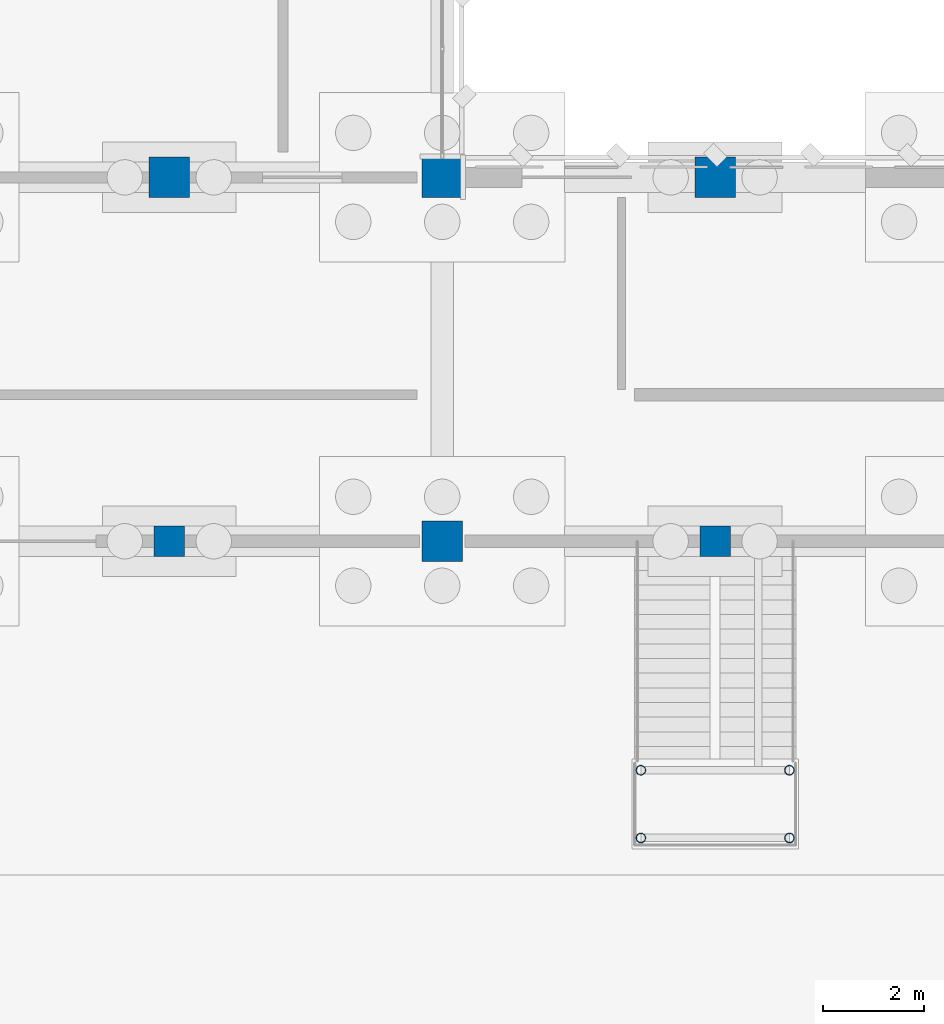
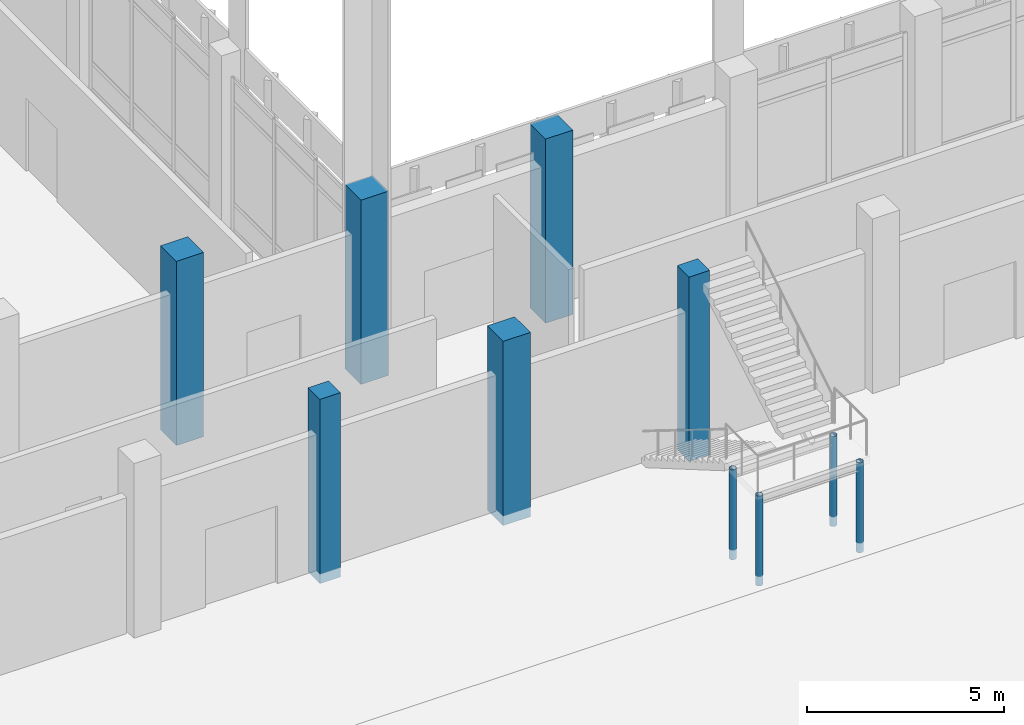
# One storey, part 16 of 109: 10 columns.
"""IFC4 building model written with IfcOpenShell, lengths in metres."""

import ifcopenshell
import ifcopenshell.guid

model = None  # the IFC model being written
_history = None  # IfcOwnerHistory: only IFC2X3 demands one
_inside = {}  # id of a spatial element -> (the spatial element, [elements in it])
_under = {}  # id of a project, library or spatial element -> (it, [spatial elements below it])
_declared = {}  # id of a project -> (the project, [libraries it declares])
_typed = {}  # id of a type object -> (the type object, [elements of that type])
_made_of = {}  # id of a material, layer set ... -> (it, [elements and type objects made of it])


def new_model(schema):
    """Start an empty IFC model of exactly this schema.

    Asked for "IFC4X3", IfcOpenShell would pick the latest addendum, in which some entities
    have other attributes; the version numbers below select the first issue.
    IFC2X3 requires an IfcOwnerHistory on every rooted entity: one is made here for all.
    """
    global model, _history
    if schema == "IFC4X3":
        model = ifcopenshell.file(schema_version=(4, 3, 0, 0))
    else:
        model = ifcopenshell.file(schema=schema)
    _inside.clear()
    _under.clear()
    _declared.clear()
    _typed.clear()
    _made_of.clear()
    _history = None
    if model.schema == "IFC2X3":
        org = make("IfcOrganization", Name="unknown")
        user = make(
            "IfcPersonAndOrganization",
            ThePerson=make("IfcPerson", FamilyName="unknown"),
            TheOrganization=org,
        )
        app = make(
            "IfcApplication",
            ApplicationDeveloper=org,
            Version="unknown",
            ApplicationFullName="unknown",
            ApplicationIdentifier="unknown",
        )
        _history = make(
            "IfcOwnerHistory",
            OwningUser=user,
            OwningApplication=app,
            ChangeAction="ADDED",
            CreationDate=0,
        )
    return model


def make(cls, **values):
    """One entity of the class cls with the attributes given. An attribute that is None is left unset."""
    return model.create_entity(
        cls, **{name: value for name, value in values.items() if value is not None}
    )


def rooted(cls, **values):
    """An entity with a GlobalId (a new one), such as an element, a storey or a relation."""
    return make(cls, GlobalId=ifcopenshell.guid.new(), OwnerHistory=_history, **values)


def si_unit(unit_type, name, prefix=None):
    """IfcSIUnit, for example si_unit("LENGTHUNIT", "METRE", prefix="MILLI")."""
    return make("IfcSIUnit", UnitType=unit_type, Prefix=prefix, Name=name)


def assignment(units):
    """IfcUnitAssignment: the units of a project."""
    return None if units is None else make("IfcUnitAssignment", Units=units)


def point(xyz):
    """IfcCartesianPoint."""
    return None if xyz is None else make("IfcCartesianPoint", Coordinates=xyz)


def direction(xyz):
    """IfcDirection."""
    return None if xyz is None else make("IfcDirection", DirectionRatios=xyz)


def frame(location, z_axis=None, x_axis=None):
    """IfcAxis2Placement3D, a coordinate frame: its origin and axes. An axis left out is left unset."""
    return make(
        "IfcAxis2Placement3D",
        Location=point(location),
        Axis=direction(z_axis),
        RefDirection=direction(x_axis),
    )


def frame_2d(location, x_axis=None):
    """IfcAxis2Placement2D, a coordinate frame in the plane: its origin and x axis."""
    return make(
        "IfcAxis2Placement2D", Location=point(location), RefDirection=direction(x_axis)
    )


def origin():
    """The frame at (0, 0, 0) with its axes left unset."""
    return frame((0.0, 0.0, 0.0))


def origin_2d():
    """The frame at (0, 0) in the plane with its x axis left unset."""
    return frame_2d((0.0, 0.0))


def place(relative_to, where):
    """IfcLocalPlacement: puts the frame where relative to a parent placement (None: the world)."""
    return make(
        "IfcLocalPlacement", PlacementRelTo=relative_to, RelativePlacement=where
    )


def context(
    kind, dimensions, precision=None, world=None, true_north=None, identifier=None
):
    """IfcGeometricRepresentationContext, for example the 3D "Model" context."""
    return make(
        "IfcGeometricRepresentationContext",
        ContextIdentifier=identifier,
        ContextType=kind,
        CoordinateSpaceDimension=dimensions,
        Precision=precision,
        WorldCoordinateSystem=world,
        TrueNorth=true_north,
    )


def subcontext(parent, identifier, kind, view, scale=None):
    """IfcGeometricRepresentationSubContext, for example "Body" below "Model"."""
    return make(
        "IfcGeometricRepresentationSubContext",
        ContextIdentifier=identifier,
        ContextType=kind,
        ParentContext=parent,
        TargetScale=scale,
        TargetView=view,
    )


def project(units=None, contexts=None):
    """IfcProject with its units and contexts."""
    return rooted(
        "IfcProject",
        Name="project",
        RepresentationContexts=contexts,
        UnitsInContext=assignment(units),
    )


def spatial(cls, under=None, at=None, **own):
    """A site, building, storey or space (cls), placed at a placement, below another one or the project."""
    s = rooted(cls, ObjectPlacement=at, **own)
    if under is not None:
        _under.setdefault(under.id(), (under, []))[1].append(s)
    return s


def profile(cls, at=None, kind="AREA", **sizes):
    """A parametric profile (cls). Its sizes go by their IFC names, for example OverallWidth=200.0."""
    return make(cls, ProfileType=kind, Position=at, **sizes)


def rectangle(**sizes):
    """IfcRectangleProfileDef."""
    return profile("IfcRectangleProfileDef", **sizes)


def hollow_circle(**sizes):
    """IfcCircleHollowProfileDef."""
    return profile("IfcCircleHollowProfileDef", **sizes)


def extrude(swept, where, along, depth):
    """IfcExtrudedAreaSolid: the profile swept, set in the frame where, extruded along a direction by depth."""
    return make(
        "IfcExtrudedAreaSolid",
        SweptArea=swept,
        Position=where,
        ExtrudedDirection=direction(along),
        Depth=depth,
    )


def shape(context_of_items, identifier, shape_type, items):
    """IfcShapeRepresentation: the items that make up one representation, for example the "Body"."""
    return make(
        "IfcShapeRepresentation",
        ContextOfItems=context_of_items,
        RepresentationIdentifier=identifier,
        RepresentationType=shape_type,
        Items=items,
    )


def material(Name=None, Category=None):
    """IfcMaterial."""
    return make("IfcMaterial", Name=Name, Category=Category)


def material_profile(
    of_material, cross_section, Name=None, Category=None, Priority=None
):
    """IfcMaterialProfile: a cross section and its material."""
    return make(
        "IfcMaterialProfile",
        Name=Name,
        Material=of_material,
        Profile=cross_section,
        Priority=Priority,
        Category=Category,
    )


def profile_set(profiles, Name=None, composite=None):
    """IfcMaterialProfileSet."""
    return make(
        "IfcMaterialProfileSet",
        Name=Name,
        MaterialProfiles=profiles,
        CompositeProfile=composite,
    )


def made_of(thing, what):
    """Note that an element or type object is made of a material, layer set ...; save() writes the relation."""
    if what is not None:
        _made_of.setdefault(what.id(), (what, []))[1].append(thing)
    return thing


def type_object(cls, material=None, **own):
    """A type object (cls), such as IfcWallType, which elements share."""
    return made_of(rooted(cls, **own), material)


def element(
    cls,
    number,
    at=None,
    inside=None,
    cuts=None,
    type_object=None,
    material=None,
    context=None,
    identifier="Body",
    shape_type=None,
    held_by="IfcProductDefinitionShape",
    body=None,
    shapes=None,
    **own,
):
    """One element of the class cls, such as IfcWall. Its Tag is "e" and its number.

    at: its placement. inside: the storey or other place that contains it. cuts: it is an
    opening in that element (IfcRelVoidsElement). A single representation is given by context,
    identifier, shape_type and body (its items); several are given by shapes. held_by: the class
    of the entity that holds the representations. save() writes the other relations.
    """
    e = rooted(cls, Tag="e%d" % number, ObjectPlacement=at, **own)
    if body is not None:
        shapes = [shape(context, identifier, shape_type, body)]
    if shapes is not None:
        e.Representation = make(held_by, Representations=shapes)
    if inside is not None:
        _inside.setdefault(inside.id(), (inside, []))[1].append(e)
    if cuts is not None:
        rooted(
            "IfcRelVoidsElement", RelatingBuildingElement=cuts, RelatedOpeningElement=e
        )
    if type_object is not None:
        _typed.setdefault(type_object.id(), (type_object, []))[1].append(e)
    return made_of(e, material)


def aggregate(whole, parts):
    """IfcRelAggregates: a whole, such as a stair, and the parts it consists of."""
    return rooted("IfcRelAggregates", RelatingObject=whole, RelatedObjects=parts)


def save(model, path):
    """Write the relations noted so far, then the file.

    IfcRelAggregates (storeys below a building ...), IfcRelContainedInSpatialStructure (elements
    in a storey), IfcRelDefinesByType, IfcRelAssociatesMaterial and IfcRelDeclares: one each for
    every whole, place, type object, material and project.
    """
    for whole, parts in _under.values():
        aggregate(whole, parts)
    for where, things in _inside.values():
        rooted(
            "IfcRelContainedInSpatialStructure",
            RelatedElements=things,
            RelatingStructure=where,
        )
    for kind, things in _typed.values():
        rooted("IfcRelDefinesByType", RelatedObjects=things, RelatingType=kind)
    for what, things in _made_of.values():
        rooted("IfcRelAssociatesMaterial", RelatedObjects=things, RelatingMaterial=what)
    for by, libraries in _declared.values():
        rooted("IfcRelDeclares", RelatingContext=by, RelatedDefinitions=libraries)
    model.write(path)


model = new_model("IFC4")

# Units and contexts
model_context = context("Model", 3, precision=1e-05, world=origin(), true_north=direction((0.0, 1.0)))
body_context = subcontext(model_context, "Body", "Model", "MODEL_VIEW")
ifc_project = project(units=[si_unit("LENGTHUNIT", "METRE"), si_unit("AREAUNIT", "SQUARE_METRE"), si_unit("VOLUMEUNIT", "CUBIC_METRE"), si_unit("PLANEANGLEUNIT", "RADIAN"), si_unit("MASSUNIT", "GRAM", prefix="KILO")], contexts=[model_context])

# Site, building, storey
site_placement = place(None, origin())
site = spatial("IfcSite", under=ifc_project, at=site_placement, CompositionType="ELEMENT")
building_placement = place(site_placement, origin())
building = spatial("IfcBuilding", under=site, at=building_placement, Name="Lusvemor Sports Hall", CompositionType="ELEMENT")
storey_placement = place(building_placement, origin())
storey = spatial("IfcBuildingStorey", under=building, at=storey_placement, Name="L00", CompositionType="ELEMENT", Elevation=0.0)

# Columns
ifc_material_1 = material(Name="Concrete C40/50", Category="concrete")
ifc_material_profile_1 = material_profile(ifc_material_1, rectangle(XDim=0.800048828125, YDim=0.800048828125, at=origin_2d()), Name="RC800x800")
ifc_profile_set_1 = profile_set([ifc_material_profile_1], Name="Concrete C40/50")
column_type_1 = type_object("IfcColumnType", Name="COL_HALL_W", PredefinedType="COLUMN", material=ifc_profile_set_1)
for number, where, z_axis, x_axis, name in (
    (1, (21.60009765625, 39.60009765625, -0.300048828125), (0.0, 0.0, 1.0), (1.0, 0.0, 0.0), "Column 3/E (L00)"),
    (2, (21.60009765625, 46.800048828125, -0.300048828125), (0.0, 0.0, 1.0), (1.0, 0.0, 0.0), "Column 3/F (L00)"),
    (3, (16.199951171875, 46.800048828125, -0.300048828125), (0.0, 0.0, 1.0), (1.0, 0.0, 0.0), "Wave North Eave Column N2 (L00)"),
    (4, (27.0, 46.800048828125, -0.300048828125), (0.0, 0.0, 1.0), (1.0, 0.0, 0.0), "Wave North Eave Column N3 (L00)"),
):
    element("IfcColumn", number, at=place(storey_placement, frame(where, z_axis=z_axis, x_axis=x_axis)), inside=storey, type_object=column_type_1, Name=name, PredefinedType="COLUMN", context=body_context, shape_type="SweptSolid", body=[
        extrude(rectangle(XDim=0.800048828125, YDim=0.800048828125, at=origin_2d()), origin(), (0.0, 0.0, 1.0), 5.699951171875),
    ])
ifc_material_2 = material(Name="Steel S355", Category="steel")
ifc_material_profile_2 = material_profile(ifc_material_2, hollow_circle(Radius=0.096923828125, WallThickness=0.010009765625, at=origin_2d()), Name="CHS193.7x10.0")
ifc_profile_set_2 = profile_set([ifc_material_profile_2], Name="Steel S355")
column_type_2 = type_object("IfcColumnType", Name="COL_STAIR_POST", PredefinedType="COLUMN", material=ifc_profile_set_2)
for number, where, z_axis, x_axis, name in (
    (5, (25.530029296875, 33.72998046875, -0.300048828125), (0.0, 0.0, 1.0), (1.0, 0.0, 0.0), "Feature Stair STR-V1N-GAL Post 1"),
    (6, (28.469970703125, 33.72998046875, -0.300048828125), (0.0, 0.0, 1.0), (1.0, 0.0, 0.0), "Feature Stair STR-V1N-GAL Post 2"),
    (7, (25.530029296875, 35.070068359375, -0.300048828125), (0.0, 0.0, 1.0), (1.0, 0.0, 0.0), "Feature Stair STR-V1N-GAL Post 3"),
    (8, (28.469970703125, 35.070068359375, -0.300048828125), (0.0, 0.0, 1.0), (1.0, 0.0, 0.0), "Feature Stair STR-V1N-GAL Post 4"),
):
    element("IfcColumn", number, at=place(storey_placement, frame(where, z_axis=z_axis, x_axis=x_axis)), inside=storey, type_object=column_type_2, Name=name, PredefinedType="COLUMN", context=body_context, shape_type="SweptSolid", body=[
        extrude(hollow_circle(Radius=0.096923828125, WallThickness=0.010009765625, at=origin_2d()), origin(), (0.0, 0.0, 1.0), 2.781982421875),
    ])
ifc_material_3 = material(Name="Concrete C40/50", Category="concrete")
ifc_material_profile_3 = material_profile(ifc_material_3, rectangle(XDim=0.60009765625, YDim=0.60009765625, at=origin_2d()), Name="RC600x600")
ifc_profile_set_3 = profile_set([ifc_material_profile_3], Name="Concrete C40/50")
column_type_3 = type_object("IfcColumnType", Name="COL_WING_L", PredefinedType="COLUMN", material=ifc_profile_set_3)
for number, where, z_axis, x_axis, name in (
    (9, (16.199951171875, 39.60009765625, -0.300048828125), (0.0, 0.0, 1.0), (1.0, 0.0, 0.0), "Wave Mid-Bay Column N2 (L00)"),
    (10, (27.0, 39.60009765625, -0.300048828125), (0.0, 0.0, 1.0), (1.0, 0.0, 0.0), "Wave Mid-Bay Column N3 (L00)"),
):
    element("IfcColumn", number, at=place(storey_placement, frame(where, z_axis=z_axis, x_axis=x_axis)), inside=storey, type_object=column_type_3, Name=name, PredefinedType="COLUMN", context=body_context, shape_type="SweptSolid", body=[
        extrude(rectangle(XDim=0.60009765625, YDim=0.60009765625, at=origin_2d()), origin(), (0.0, 0.0, 1.0), 5.699951171875),
    ])

save(model, "model.ifc")
